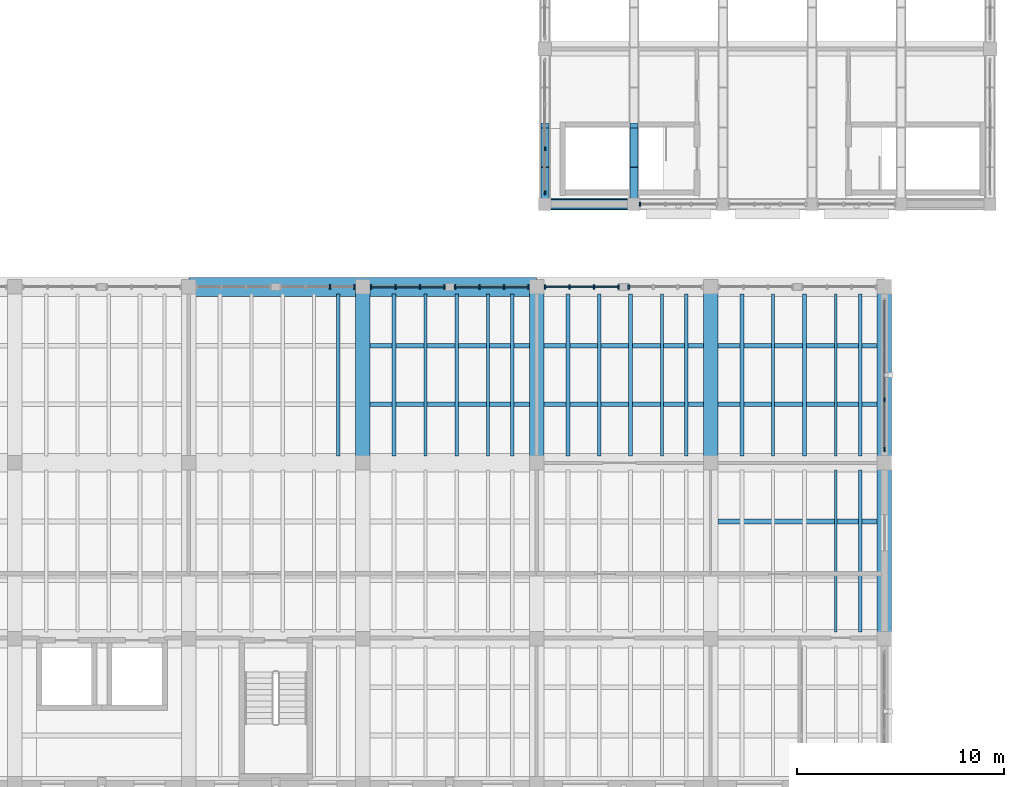
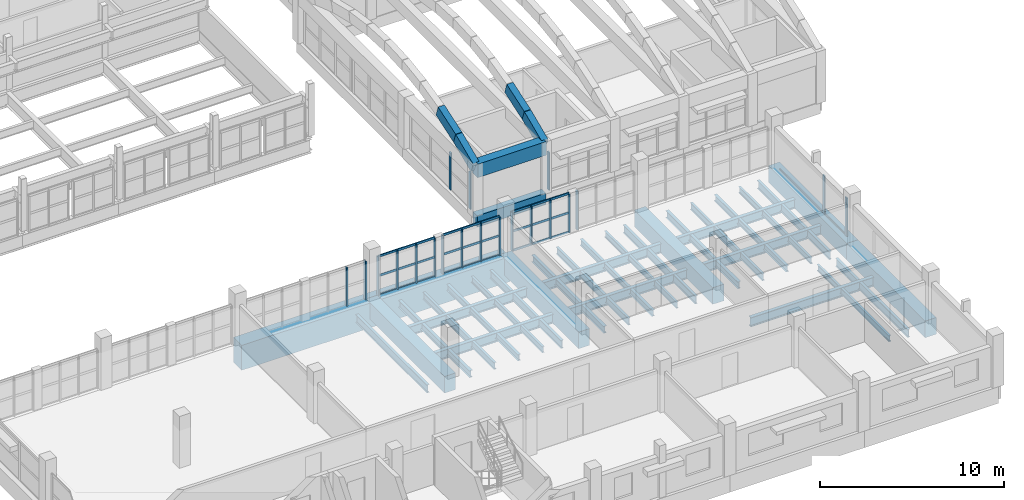
# One storey, part 40 of 77: 34 members, 33 beams, 8 elements without a shape of their own.
"""IFC4 building model written with IfcOpenShell, lengths in metres."""

from ifc_helpers import new_model, si_unit, direction, frame, origin, origin_2d, place, context, subcontext, project, spatial, rectangle, i_section, extrude, material, layer, layer_set, material_profile, profile_set, type_object, element, aggregate, save


model = new_model("IFC4")

# Units and contexts
model_context = context("Model", 3, precision=1e-05, world=origin(), true_north=direction((0.0, 1.0)))
body_context = subcontext(model_context, "Body", "Model", "MODEL_VIEW")
ifc_project = project(units=[si_unit("LENGTHUNIT", "METRE"), si_unit("AREAUNIT", "SQUARE_METRE"), si_unit("VOLUMEUNIT", "CUBIC_METRE"), si_unit("PLANEANGLEUNIT", "RADIAN"), si_unit("MASSUNIT", "GRAM", prefix="KILO")], contexts=[model_context])

# Site, building, storey
site_placement = place(None, origin())
site = spatial("IfcSite", under=ifc_project, at=site_placement, CompositionType="ELEMENT")
building_placement = place(site_placement, origin())
building = spatial("IfcBuilding", under=site, at=building_placement, Name="Trellovar Central Fire Station", CompositionType="ELEMENT")
storey_placement = place(building_placement, frame((0.0, 0.0, 5.85009765625)))
storey = spatial("IfcBuildingStorey", under=building, at=storey_placement, Name="L02", CompositionType="ELEMENT", Elevation=5.85009765625)

# Beams
ifc_material_1 = material(Name="Concrete C40/50", Category="concrete")
ifc_material_profile_1 = material_profile(ifc_material_1, rectangle(XDim=0.449951171875, YDim=0.75, at=origin_2d()), Name="RC450X750")
ifc_profile_set_1 = profile_set([ifc_material_profile_1], Name="Concrete C40/50")
beam_type_1 = type_object("IfcBeamType", Name="BM-G2", PredefinedType="BEAM", material=ifc_profile_set_1)
beam_1_placement = place(storey_placement, frame((139.5, 37.0, -0.375), z_axis=(1.0, 0.0, 0.0), x_axis=(0.0, 1.0, 0.0)))
element("IfcBeam", 1, at=beam_1_placement, inside=storey, type_object=beam_type_1, Name="L02 beam G-2", PredefinedType="BEAM", context=body_context, shape_type="SweptSolid", body=[
    extrude(rectangle(XDim=0.449951171875, YDim=0.75, at=origin_2d()), origin(), (0.0, 0.0, 1.0), 4.300048828125),
])
ifc_material_2 = material(Name="Concrete C40/50", Category="concrete")
ifc_material_profile_2 = material_profile(ifc_material_2, rectangle(XDim=0.699951171875, YDim=1.10009765625, at=origin_2d()), Name="RC700X1100")
ifc_profile_set_2 = profile_set([ifc_material_profile_2], Name="Concrete C40/50")
beam_type_2 = type_object("IfcBeamType", Name="BM-RG1", PredefinedType="BEAM", material=ifc_profile_set_2)
for number, where, z_axis, x_axis, name in (
    (2, (130.699951171875, 24.5, -0.550048828125), (0.0, 1.0, 0.0), (-1.0, 0.0, 0.0), "L02 transverse transfer tie girder"),
    (3, (139.10009765625, 24.5, -0.550048828125), (0.0, 1.0, 0.0), (-1.0, 0.0, 0.0), "L02 transverse transfer tie girder"),
    (4, (147.5, 24.5, -0.550048828125), (0.0, 1.0, 0.0), (-1.0, 0.0, 0.0), "L02 transverse transfer tie girder"),
    (5, (155.89990234375, 16.0, -0.550048828125), (0.0, 1.0, 0.0), (-1.0, 0.0, 0.0), "L02 transverse transfer tie girder"),
    (6, (155.89990234375, 24.5, -0.550048828125), (0.0, 1.0, 0.0), (-1.0, 0.0, 0.0), "L02 transverse transfer tie girder"),
):
    element("IfcBeam", number, at=place(storey_placement, frame(where, z_axis=z_axis, x_axis=x_axis)), inside=storey, type_object=beam_type_2, Name=name, PredefinedType="BEAM", context=body_context, shape_type="SweptSolid", body=[
        extrude(rectangle(XDim=0.699951171875, YDim=1.10009765625, at=origin_2d()), origin(), (0.0, 0.0, 1.0), 8.5),
    ])
ifc_material_3 = material(Name="Concrete C40/50", Category="concrete")
ifc_material_profile_3 = material_profile(ifc_material_3, rectangle(XDim=0.550048828125, YDim=0.89990234375, at=origin_2d()), Name="RC550X900")
ifc_profile_set_3 = profile_set([ifc_material_profile_3], Name="Concrete C40/50")
beam_type_3 = type_object("IfcBeamType", Name="BM-RG3", PredefinedType="BEAM", material=ifc_profile_set_3)
beam_2_placement = place(storey_placement, frame((139.5, 37.0, 3.0), z_axis=(1.0, 0.0, 0.0), x_axis=(0.0, 1.0, 0.0)))
element("IfcBeam", 7, at=beam_2_placement, inside=storey, type_object=beam_type_3, Name="L02 beam RG-3", PredefinedType="BEAM", context=body_context, shape_type="SweptSolid", body=[
    extrude(rectangle(XDim=0.550048828125, YDim=0.89990234375, at=origin_2d()), origin(), (0.0, 0.0, 1.0), 4.300048828125),
])
ifc_material_4 = material(Name="Steel ASTM A992 Grade 50", Category="steel")
ifc_material_profile_4 = material_profile(ifc_material_4, i_section(OverallWidth=0.15283203125, OverallDepth=0.45458984375, WebThickness=0.008056640625, FlangeThickness=0.01318359375, FilletRadius=0.0126953125, at=origin_2d()), Name="W18X40")
ifc_profile_set_4 = profile_set([ifc_material_profile_4], Name="Steel ASTM A992 Grade 50")
beam_type_4 = type_object("IfcBeamType", Name="BM-SW10", PredefinedType="JOIST", material=ifc_profile_set_4)
for number, where, z_axis, x_axis, name in (
    (8, (133.72412109375, 24.840087890625, -0.677490234375), (0.0, 1.0, 0.0), (-1.0, 0.0, 0.0), "L02 secondary steel deck joist"),
    (9, (142.1240234375, 24.840087890625, -0.677490234375), (0.0, 1.0, 0.0), (-1.0, 0.0, 0.0), "L02 secondary steel deck joist"),
    (10, (150.52392578125, 24.840087890625, -0.677490234375), (0.0, 1.0, 0.0), (-1.0, 0.0, 0.0), "L02 secondary steel deck joist"),
):
    element("IfcBeam", number, at=place(storey_placement, frame(where, z_axis=z_axis, x_axis=x_axis)), inside=storey, type_object=beam_type_4, Name=name, PredefinedType="JOIST", context=body_context, shape_type="SweptSolid", body=[
        extrude(i_section(OverallWidth=0.15283203125, OverallDepth=0.45458984375, WebThickness=0.008056640625, FlangeThickness=0.01318359375, FilletRadius=0.0126953125, at=origin_2d()), origin(), (0.0, 0.0, 1.0), 7.81982421875),
    ])
ifc_material_5 = material(Name="Steel ASTM A992 Grade 50", Category="steel")
ifc_material_profile_5 = material_profile(ifc_material_5, i_section(OverallWidth=0.177490234375, OverallDepth=0.40380859375, WebThickness=0.007568359375, FlangeThickness=0.010986328125, FilletRadius=0.011474609375, at=origin_2d()), Name="W16X36")
ifc_profile_set_5 = profile_set([ifc_material_profile_5], Name="Steel ASTM A992 Grade 50")
beam_type_5 = type_object("IfcBeamType", Name="BM-SW11", PredefinedType="JOIST", material=ifc_profile_set_5)
for number, where, z_axis, x_axis, name in (
    (11, (135.236083984375, 24.840087890625, -0.652099609375), (0.0, 1.0, 0.0), (-1.0, 0.0, 0.0), "L02 secondary steel deck joist"),
    (12, (143.635986328125, 24.840087890625, -0.652099609375), (0.0, 1.0, 0.0), (-1.0, 0.0, 0.0), "L02 secondary steel deck joist"),
    (13, (152.035888671875, 24.840087890625, -0.652099609375), (0.0, 1.0, 0.0), (-1.0, 0.0, 0.0), "L02 secondary steel deck joist"),
):
    element("IfcBeam", number, at=place(storey_placement, frame(where, z_axis=z_axis, x_axis=x_axis)), inside=storey, type_object=beam_type_5, Name=name, PredefinedType="JOIST", context=body_context, shape_type="SweptSolid", body=[
        extrude(i_section(OverallWidth=0.177490234375, OverallDepth=0.40380859375, WebThickness=0.007568359375, FlangeThickness=0.010986328125, FilletRadius=0.011474609375, at=origin_2d()), origin(), (0.0, 0.0, 1.0), 7.81982421875),
    ])
ifc_material_6 = material(Name="Steel ASTM A992 Grade 50", Category="steel")
ifc_material_profile_6 = material_profile(ifc_material_6, i_section(OverallWidth=0.140380859375, OverallDepth=0.4033203125, WebThickness=0.007080078125, FlangeThickness=0.01123046875, FilletRadius=0.011474609375, at=origin_2d()), Name="W16X31")
ifc_profile_set_6 = profile_set([ifc_material_profile_6], Name="Steel ASTM A992 Grade 50")
beam_type_6 = type_object("IfcBeamType", Name="BM-SW12", PredefinedType="JOIST", material=ifc_profile_set_6)
for number, where, z_axis, x_axis, name in (
    (14, (136.748046875, 24.840087890625, -0.65185546875), (0.0, 1.0, 0.0), (-1.0, 0.0, 0.0), "L02 secondary steel deck joist"),
    (15, (145.14794921875, 24.840087890625, -0.65185546875), (0.0, 1.0, 0.0), (-1.0, 0.0, 0.0), "L02 secondary steel deck joist"),
    (16, (153.548095703125, 16.340087890625, -0.65185546875), (0.0, 1.0, 0.0), (-1.0, 0.0, 0.0), "L02 secondary steel deck joist"),
    (17, (153.548095703125, 24.840087890625, -0.65185546875), (0.0, 1.0, 0.0), (-1.0, 0.0, 0.0), "L02 secondary steel deck joist"),
):
    element("IfcBeam", number, at=place(storey_placement, frame(where, z_axis=z_axis, x_axis=x_axis)), inside=storey, type_object=beam_type_6, Name=name, PredefinedType="JOIST", context=body_context, shape_type="SweptSolid", body=[
        extrude(i_section(OverallWidth=0.140380859375, OverallDepth=0.4033203125, WebThickness=0.007080078125, FlangeThickness=0.01123046875, FilletRadius=0.011474609375, at=origin_2d()), origin(), (0.0, 0.0, 1.0), 7.81982421875),
    ])
ifc_material_7 = material(Name="Steel ASTM A992 Grade 50", Category="steel")
ifc_material_profile_7 = material_profile(ifc_material_7, i_section(OverallWidth=0.227783203125, OverallDepth=0.60205078125, WebThickness=0.010498046875, FlangeThickness=0.014892578125, FilletRadius=0.01513671875, at=origin_2d()), Name="W24X68")
ifc_profile_set_7 = profile_set([ifc_material_profile_7], Name="Steel ASTM A992 Grade 50")
beam_type_7 = type_object("IfcBeamType", Name="BM-SW6", PredefinedType="BEAM", material=ifc_profile_set_7)
for number, where, z_axis, x_axis, name in (
    (18, (131.050048828125, 27.333251953125, -0.7509765625), (1.0, 0.0, 0.0), (0.0, 1.0, 0.0), "L02 transfer deck secondary steel beam"),
    (19, (131.050048828125, 30.166748046875, -0.7509765625), (1.0, 0.0, 0.0), (0.0, 1.0, 0.0), "L02 transfer deck secondary steel beam"),
    (20, (139.449951171875, 27.333251953125, -0.7509765625), (1.0, 0.0, 0.0), (0.0, 1.0, 0.0), "L02 transfer deck secondary steel beam"),
    (21, (139.449951171875, 30.166748046875, -0.7509765625), (1.0, 0.0, 0.0), (0.0, 1.0, 0.0), "L02 transfer deck secondary steel beam"),
    (22, (147.85009765625, 21.666748046875, -0.7509765625), (1.0, 0.0, 0.0), (0.0, 1.0, 0.0), "L02 transfer deck secondary steel beam"),
    (23, (147.85009765625, 27.333251953125, -0.7509765625), (1.0, 0.0, 0.0), (0.0, 1.0, 0.0), "L02 transfer deck secondary steel beam"),
    (24, (147.85009765625, 30.166748046875, -0.7509765625), (1.0, 0.0, 0.0), (0.0, 1.0, 0.0), "L02 transfer deck secondary steel beam"),
):
    element("IfcBeam", number, at=place(storey_placement, frame(where, z_axis=z_axis, x_axis=x_axis)), inside=storey, type_object=beam_type_7, Name=name, PredefinedType="BEAM", context=body_context, shape_type="SweptSolid", body=[
        extrude(i_section(OverallWidth=0.227783203125, OverallDepth=0.60205078125, WebThickness=0.010498046875, FlangeThickness=0.014892578125, FilletRadius=0.01513671875, at=origin_2d()), origin(), (0.0, 0.0, 1.0), 7.699951171875),
    ])
ifc_material_8 = material(Name="Steel ASTM A992 Grade 50", Category="steel")
ifc_material_profile_8 = material_profile(ifc_material_8, i_section(OverallWidth=0.166015625, OverallDepth=0.529052734375, WebThickness=0.009765625, FlangeThickness=0.013671875, FilletRadius=0.013916015625, at=origin_2d()), Name="W21X50")
ifc_profile_set_8 = profile_set([ifc_material_profile_8], Name="Steel ASTM A992 Grade 50")
beam_type_8 = type_object("IfcBeamType", Name="BM-SW8", PredefinedType="JOIST", material=ifc_profile_set_8)
for number, where, z_axis, x_axis, name in (
    (25, (129.52392578125, 24.840087890625, -0.714599609375), (0.0, 1.0, 0.0), (-1.0, 0.0, 0.0), "L02 secondary steel deck joist"),
    (26, (137.924072265625, 24.840087890625, -0.714599609375), (0.0, 1.0, 0.0), (-1.0, 0.0, 0.0), "L02 secondary steel deck joist"),
    (27, (146.323974609375, 24.840087890625, -0.714599609375), (0.0, 1.0, 0.0), (-1.0, 0.0, 0.0), "L02 secondary steel deck joist"),
    (28, (154.72412109375, 16.340087890625, -0.714599609375), (0.0, 1.0, 0.0), (-1.0, 0.0, 0.0), "L02 secondary steel deck joist"),
    (29, (154.72412109375, 24.840087890625, -0.714599609375), (0.0, 1.0, 0.0), (-1.0, 0.0, 0.0), "L02 secondary steel deck joist"),
):
    element("IfcBeam", number, at=place(storey_placement, frame(where, z_axis=z_axis, x_axis=x_axis)), inside=storey, type_object=beam_type_8, Name=name, PredefinedType="JOIST", context=body_context, shape_type="SweptSolid", body=[
        extrude(i_section(OverallWidth=0.166015625, OverallDepth=0.529052734375, WebThickness=0.009765625, FlangeThickness=0.013671875, FilletRadius=0.013916015625, at=origin_2d()), origin(), (0.0, 0.0, 1.0), 7.81982421875),
    ])
ifc_material_9 = material(Name="Steel ASTM A992 Grade 50", Category="steel")
ifc_material_profile_9 = material_profile(ifc_material_9, i_section(OverallWidth=0.1904296875, OverallDepth=0.457275390625, WebThickness=0.009033203125, FlangeThickness=0.014404296875, FilletRadius=0.0126953125, at=origin_2d()), Name="W18X50")
ifc_profile_set_9 = profile_set([ifc_material_profile_9], Name="Steel ASTM A992 Grade 50")
beam_type_9 = type_object("IfcBeamType", Name="BM-SW9", PredefinedType="JOIST", material=ifc_profile_set_9)
for number, where, z_axis, x_axis, name in (
    (30, (132.2119140625, 24.840087890625, -0.6787109375), (0.0, 1.0, 0.0), (-1.0, 0.0, 0.0), "L02 secondary steel deck joist"),
    (31, (140.612060546875, 24.840087890625, -0.6787109375), (0.0, 1.0, 0.0), (-1.0, 0.0, 0.0), "L02 secondary steel deck joist"),
    (32, (149.011962890625, 24.840087890625, -0.6787109375), (0.0, 1.0, 0.0), (-1.0, 0.0, 0.0), "L02 secondary steel deck joist"),
):
    element("IfcBeam", number, at=place(storey_placement, frame(where, z_axis=z_axis, x_axis=x_axis)), inside=storey, type_object=beam_type_9, Name=name, PredefinedType="JOIST", context=body_context, shape_type="SweptSolid", body=[
        extrude(i_section(OverallWidth=0.1904296875, OverallDepth=0.457275390625, WebThickness=0.009033203125, FlangeThickness=0.014404296875, FilletRadius=0.0126953125, at=origin_2d()), origin(), (0.0, 0.0, 1.0), 7.81982421875),
    ])
ifc_material_10 = material(Name="Concrete C45/55", Category="concrete")
ifc_material_profile_10 = material_profile(ifc_material_10, rectangle(XDim=0.89990234375, YDim=1.64990234375, at=origin_2d()), Name="RC900X1650")
ifc_profile_set_10 = profile_set([ifc_material_profile_10], Name="Concrete C45/55")
beam_type_10 = type_object("IfcBeamType", Name="BM-TG1", PredefinedType="BEAM", material=ifc_profile_set_10)
beam_3_placement = place(storey_placement, frame((122.300048828125, 33.0, -0.8251953125), z_axis=(1.0, 0.0, 0.0), x_axis=(0.0, 1.0, 0.0)))
element("IfcBeam", 33, at=beam_3_placement, inside=storey, type_object=beam_type_10, Name="L02 RC transfer girder TG-1 (122.3..139.1, Y=33.0)", PredefinedType="BEAM", context=body_context, shape_type="SweptSolid", body=[
    extrude(rectangle(XDim=0.89990234375, YDim=1.64990234375, at=origin_2d()), origin(), (0.0, 0.0, 1.0), 16.800048828125),
])

# Curtain wall, members
ifc_material_11 = material(Name="Thermally broken bronze anodized aluminum", Category="aluminium")
ifc_layer_1 = layer(ifc_material_11, 0.159912109375)
ifc_layer_set_1 = layer_set([ifc_layer_1], Name="Thermally broken bronze anodized aluminum")
curtain_wall_type_1 = type_object("IfcCurtainWallType", Name="CW-09", PredefinedType="NOTDEFINED", material=ifc_layer_set_1)
curtain_wall_1_placement = place(storey_placement, origin())
curtain_wall_1 = element("IfcCurtainWall", 34, at=curtain_wall_1_placement, inside=storey, type_object=curtain_wall_type_1, Name="L02 curtain wall CW-9", PredefinedType="NOTDEFINED")
ifc_material_12 = material(Name="Thermally broken bronze anodized aluminum", Category="aluminium")
ifc_material_profile_11 = material_profile(ifc_material_12, rectangle(XDim=0.074951171875, YDim=0.199951171875, at=origin_2d()), Name="ALU75X200")
ifc_profile_set_11 = profile_set([ifc_material_profile_11], Name="Thermally broken bronze anodized aluminum")
member_type_1 = type_object("IfcMemberType", Name="CWM-1", PredefinedType="MULLION", material=ifc_profile_set_11)
member_1_placement = place(storey_placement, frame((130.300048828125, 33.0, 0.0), z_axis=(0.0, 0.0, 1.0), x_axis=(1.0, 0.0, 0.0)))
member_1 = element("IfcMember", 35, at=member_1_placement, type_object=member_type_1, Name="CW3-L02-0063 mullion 1", PredefinedType="MULLION", context=body_context, shape_type="SweptSolid", body=[
    extrude(rectangle(XDim=0.074951171875, YDim=0.199951171875, at=origin_2d()), origin(), (0.0, 0.0, 1.0), 2.5498046875),
])
member_2_placement = place(storey_placement, frame((129.11669921875, 33.0, 0.0), z_axis=(0.0, 0.0, 1.0), x_axis=(1.0, 0.0, 0.0)))
member_2 = element("IfcMember", 36, at=member_2_placement, type_object=member_type_1, Name="CW3-L02-0063 mullion 2", PredefinedType="MULLION", context=body_context, shape_type="SweptSolid", body=[
    extrude(rectangle(XDim=0.074951171875, YDim=0.199951171875, at=origin_2d()), origin(), (0.0, 0.0, 1.0), 2.5498046875),
])
aggregate(curtain_wall_1, [member_1, member_2])

curtain_wall_2_placement = place(storey_placement, origin())
curtain_wall_2 = element("IfcCurtainWall", 37, at=curtain_wall_2_placement, inside=storey, type_object=curtain_wall_type_1, Name="L02 curtain wall CW-9", PredefinedType="NOTDEFINED")
member_3_placement = place(storey_placement, frame((138.699951171875, 33.0, 0.0), z_axis=(0.0, 0.0, 1.0), x_axis=(1.0, 0.0, 0.0)))
member_3 = element("IfcMember", 38, at=member_3_placement, type_object=member_type_1, Name="CW3-L02-0065 mullion 1", PredefinedType="MULLION", context=body_context, shape_type="SweptSolid", body=[
    extrude(rectangle(XDim=0.074951171875, YDim=0.199951171875, at=origin_2d()), origin(), (0.0, 0.0, 1.0), 2.5498046875),
])
member_4_placement = place(storey_placement, frame((137.5166015625, 33.0, 0.0), z_axis=(0.0, 0.0, 1.0), x_axis=(1.0, 0.0, 0.0)))
member_4 = element("IfcMember", 39, at=member_4_placement, type_object=member_type_1, Name="CW3-L02-0065 mullion 2", PredefinedType="MULLION", context=body_context, shape_type="SweptSolid", body=[
    extrude(rectangle(XDim=0.074951171875, YDim=0.199951171875, at=origin_2d()), origin(), (0.0, 0.0, 1.0), 2.5498046875),
])
member_5_placement = place(storey_placement, frame((136.333251953125, 33.0, 0.0), z_axis=(0.0, 0.0, 1.0), x_axis=(1.0, 0.0, 0.0)))
member_5 = element("IfcMember", 40, at=member_5_placement, type_object=member_type_1, Name="CW3-L02-0065 mullion 3", PredefinedType="MULLION", context=body_context, shape_type="SweptSolid", body=[
    extrude(rectangle(XDim=0.074951171875, YDim=0.199951171875, at=origin_2d()), origin(), (0.0, 0.0, 1.0), 2.5498046875),
])
member_6_placement = place(storey_placement, frame((135.14990234375, 33.0, 0.0), z_axis=(0.0, 0.0, 1.0), x_axis=(1.0, 0.0, 0.0)))
member_6 = element("IfcMember", 41, at=member_6_placement, type_object=member_type_1, Name="CW3-L02-0065 mullion 4", PredefinedType="MULLION", context=body_context, shape_type="SweptSolid", body=[
    extrude(rectangle(XDim=0.074951171875, YDim=0.199951171875, at=origin_2d()), origin(), (0.0, 0.0, 1.0), 2.5498046875),
])

ifc_material_13 = material(Name="Thermally broken bronze anodized aluminum", Category="aluminium")
ifc_layer_2 = layer(ifc_material_13, 0.159912109375)
ifc_layer_set_2 = layer_set([ifc_layer_2], Name="Thermally broken bronze anodized aluminum")
curtain_wall_type_2 = type_object("IfcCurtainWallType", Name="CW-10", PredefinedType="NOTDEFINED", material=ifc_layer_set_2)
curtain_wall_3_placement = place(storey_placement, origin())
curtain_wall_3 = element("IfcCurtainWall", 42, at=curtain_wall_3_placement, inside=storey, type_object=curtain_wall_type_2, Name="L02 curtain wall CW-10", PredefinedType="NOTDEFINED")
member_7_placement = place(storey_placement, frame((134.64990234375, 33.0, 0.0), z_axis=(0.0, 0.0, 1.0), x_axis=(1.0, 0.0, 0.0)))
member_7 = element("IfcMember", 43, at=member_7_placement, type_object=member_type_1, Name="CW3-L02-0066 mullion 1", PredefinedType="MULLION", context=body_context, shape_type="SweptSolid", body=[
    extrude(rectangle(XDim=0.074951171875, YDim=0.199951171875, at=origin_2d()), origin(), (0.0, 0.0, 1.0), 2.5498046875),
])
member_8_placement = place(storey_placement, frame((133.466796875, 33.0, 0.0), z_axis=(0.0, 0.0, 1.0), x_axis=(1.0, 0.0, 0.0)))
member_8 = element("IfcMember", 44, at=member_8_placement, type_object=member_type_1, Name="CW3-L02-0066 mullion 2", PredefinedType="MULLION", context=body_context, shape_type="SweptSolid", body=[
    extrude(rectangle(XDim=0.074951171875, YDim=0.199951171875, at=origin_2d()), origin(), (0.0, 0.0, 1.0), 2.5498046875),
])
member_9_placement = place(storey_placement, frame((132.283203125, 33.0, 0.0), z_axis=(0.0, 0.0, 1.0), x_axis=(1.0, 0.0, 0.0)))
member_9 = element("IfcMember", 45, at=member_9_placement, type_object=member_type_1, Name="CW3-L02-0066 mullion 3", PredefinedType="MULLION", context=body_context, shape_type="SweptSolid", body=[
    extrude(rectangle(XDim=0.074951171875, YDim=0.199951171875, at=origin_2d()), origin(), (0.0, 0.0, 1.0), 2.5498046875),
])
member_10_placement = place(storey_placement, frame((131.10009765625, 33.0, 0.0), z_axis=(0.0, 0.0, 1.0), x_axis=(1.0, 0.0, 0.0)))
member_10 = element("IfcMember", 46, at=member_10_placement, type_object=member_type_1, Name="CW3-L02-0066 mullion 4", PredefinedType="MULLION", context=body_context, shape_type="SweptSolid", body=[
    extrude(rectangle(XDim=0.074951171875, YDim=0.199951171875, at=origin_2d()), origin(), (0.0, 0.0, 1.0), 2.5498046875),
])

# Curtain wall, member
curtain_wall_4_placement = place(storey_placement, origin())
curtain_wall_4 = element("IfcCurtainWall", 47, at=curtain_wall_4_placement, inside=storey, type_object=curtain_wall_type_1, Name="L02 curtain wall CW-9", PredefinedType="NOTDEFINED")
member_11_placement = place(storey_placement, frame((143.550048828125, 33.0, 0.0), z_axis=(0.0, 0.0, 1.0), x_axis=(1.0, 0.0, 0.0)))
member_11 = element("IfcMember", 48, at=member_11_placement, type_object=member_type_1, Name="CW3-L02-0067 mullion 4", PredefinedType="MULLION", context=body_context, shape_type="SweptSolid", body=[
    extrude(rectangle(XDim=0.074951171875, YDim=0.199951171875, at=origin_2d()), origin(), (0.0, 0.0, 1.0), 2.5498046875),
])
aggregate(curtain_wall_4, [member_11])

# Curtain wall, members
curtain_wall_5_placement = place(storey_placement, origin())
curtain_wall_5 = element("IfcCurtainWall", 49, at=curtain_wall_5_placement, inside=storey, type_object=curtain_wall_type_2, Name="L02 curtain wall CW-10", PredefinedType="NOTDEFINED")
member_12_placement = place(storey_placement, frame((143.050048828125, 33.0, 0.0), z_axis=(0.0, 0.0, 1.0), x_axis=(1.0, 0.0, 0.0)))
member_12 = element("IfcMember", 50, at=member_12_placement, type_object=member_type_1, Name="CW3-L02-0068 mullion 1", PredefinedType="MULLION", context=body_context, shape_type="SweptSolid", body=[
    extrude(rectangle(XDim=0.074951171875, YDim=0.199951171875, at=origin_2d()), origin(), (0.0, 0.0, 1.0), 2.5498046875),
])
member_13_placement = place(storey_placement, frame((141.86669921875, 33.0, 0.0), z_axis=(0.0, 0.0, 1.0), x_axis=(1.0, 0.0, 0.0)))
member_13 = element("IfcMember", 51, at=member_13_placement, type_object=member_type_1, Name="CW3-L02-0068 mullion 2", PredefinedType="MULLION", context=body_context, shape_type="SweptSolid", body=[
    extrude(rectangle(XDim=0.074951171875, YDim=0.199951171875, at=origin_2d()), origin(), (0.0, 0.0, 1.0), 2.5498046875),
])
member_14_placement = place(storey_placement, frame((140.683349609375, 33.0, 0.0), z_axis=(0.0, 0.0, 1.0), x_axis=(1.0, 0.0, 0.0)))
member_14 = element("IfcMember", 52, at=member_14_placement, type_object=member_type_1, Name="CW3-L02-0068 mullion 3", PredefinedType="MULLION", context=body_context, shape_type="SweptSolid", body=[
    extrude(rectangle(XDim=0.074951171875, YDim=0.199951171875, at=origin_2d()), origin(), (0.0, 0.0, 1.0), 2.5498046875),
])
member_15_placement = place(storey_placement, frame((139.5, 33.0, 0.0), z_axis=(0.0, 0.0, 1.0), x_axis=(1.0, 0.0, 0.0)))
member_15 = element("IfcMember", 53, at=member_15_placement, type_object=member_type_1, Name="CW3-L02-0068 mullion 4", PredefinedType="MULLION", context=body_context, shape_type="SweptSolid", body=[
    extrude(rectangle(XDim=0.074951171875, YDim=0.199951171875, at=origin_2d()), origin(), (0.0, 0.0, 1.0), 2.5498046875),
])

ifc_material_14 = material(Name="Thermally broken bronze anodized aluminum", Category="aluminium")
ifc_layer_3 = layer(ifc_material_14, 0.159912109375)
ifc_layer_set_3 = layer_set([ifc_layer_3], Name="Thermally broken bronze anodized aluminum")
curtain_wall_type_3 = type_object("IfcCurtainWallType", Name="CW-01", PredefinedType="NOTDEFINED", material=ifc_layer_set_3)
curtain_wall_6_placement = place(storey_placement, origin())
curtain_wall_6 = element("IfcCurtainWall", 54, at=curtain_wall_6_placement, inside=storey, type_object=curtain_wall_type_3, Name="L02 curtain wall CW-1", PredefinedType="NOTDEFINED")
member_16_placement = place(storey_placement, frame((155.89990234375, 25.14990234375, 0.0), z_axis=(0.0, 0.0, 1.0), x_axis=(1.0, 0.0, 0.0)))
member_16 = element("IfcMember", 55, at=member_16_placement, type_object=member_type_1, Name="CW3-L02-0075 mullion 1", PredefinedType="MULLION", context=body_context, shape_type="SweptSolid", body=[
    extrude(rectangle(XDim=0.074951171875, YDim=0.199951171875, at=origin_2d()), origin(), (0.0, 0.0, 1.0), 2.5498046875),
])
member_17_placement = place(storey_placement, frame((155.89990234375, 27.550048828125, 0.0), z_axis=(0.0, 0.0, 1.0), x_axis=(1.0, 0.0, 0.0)))
member_17 = element("IfcMember", 56, at=member_17_placement, type_object=member_type_1, Name="CW3-L02-0075 mullion 2", PredefinedType="MULLION", context=body_context, shape_type="SweptSolid", body=[
    extrude(rectangle(XDim=0.074951171875, YDim=0.199951171875, at=origin_2d()), origin(), (0.0, 0.0, 1.0), 2.5498046875),
])

# Curtain wall, member
ifc_material_15 = material(Name="Thermally broken bronze anodized aluminum", Category="aluminium")
ifc_layer_4 = layer(ifc_material_15, 0.159912109375)
ifc_layer_set_4 = layer_set([ifc_layer_4], Name="Thermally broken bronze anodized aluminum")
curtain_wall_type_4 = type_object("IfcCurtainWallType", Name="CW-07", PredefinedType="NOTDEFINED", material=ifc_layer_set_4)
curtain_wall_7_placement = place(storey_placement, origin())
curtain_wall_7 = element("IfcCurtainWall", 57, at=curtain_wall_7_placement, inside=storey, type_object=curtain_wall_type_4, Name="L02 curtain wall CW-7", PredefinedType="NOTDEFINED")
member_18_placement = place(storey_placement, frame((144.10009765625, 37.0, 0.0), z_axis=(0.0, 0.0, 1.0), x_axis=(1.0, 0.0, 0.0)))
member_18 = element("IfcMember", 58, at=member_18_placement, type_object=member_type_1, Name="CW3-L02-0144 mullion 1", PredefinedType="MULLION", context=body_context, shape_type="SweptSolid", body=[
    extrude(rectangle(XDim=0.074951171875, YDim=0.199951171875, at=origin_2d()), origin(), (0.0, 0.0, 1.0), 2.5),
])
aggregate(curtain_wall_7, [member_18])

# Curtain wall, members
ifc_material_16 = material(Name="Thermally broken bronze anodized aluminum", Category="aluminium")
ifc_layer_5 = layer(ifc_material_16, 0.159912109375)
ifc_layer_set_5 = layer_set([ifc_layer_5], Name="Thermally broken bronze anodized aluminum")
curtain_wall_type_5 = type_object("IfcCurtainWallType", Name="CW-12", PredefinedType="NOTDEFINED", material=ifc_layer_set_5)
curtain_wall_8_placement = place(storey_placement, origin())
curtain_wall_8 = element("IfcCurtainWall", 59, at=curtain_wall_8_placement, inside=storey, type_object=curtain_wall_type_5, Name="V3 L02 W gallery CW", PredefinedType="NOTDEFINED")
member_19_placement = place(storey_placement, frame((139.5, 37.550048828125, 0.0), z_axis=(0.0, 0.0, 1.0), x_axis=(1.0, 0.0, 0.0)))
member_19 = element("IfcMember", 60, at=member_19_placement, type_object=member_type_1, Name="CW3-L02-0148 mullion 1", PredefinedType="MULLION", context=body_context, shape_type="SweptSolid", body=[
    extrude(rectangle(XDim=0.074951171875, YDim=0.199951171875, at=origin_2d()), origin(), (0.0, 0.0, 1.0), 2.449951171875),
])
member_20_placement = place(storey_placement, frame((139.5, 39.683349609375, 0.0), z_axis=(0.0, 0.0, 1.0), x_axis=(1.0, 0.0, 0.0)))
member_20 = element("IfcMember", 61, at=member_20_placement, type_object=member_type_1, Name="CW3-L02-0148 mullion 2", PredefinedType="MULLION", context=body_context, shape_type="SweptSolid", body=[
    extrude(rectangle(XDim=0.074951171875, YDim=0.199951171875, at=origin_2d()), origin(), (0.0, 0.0, 1.0), 2.449951171875),
])
aggregate(curtain_wall_8, [member_19, member_20])

# Member
ifc_material_17 = material(Name="Thermally broken bronze anodized aluminum", Category="aluminium")
ifc_material_profile_12 = material_profile(ifc_material_17, rectangle(XDim=0.06005859375, YDim=0.139892578125, at=origin_2d()), Name="ALU60X140")
ifc_profile_set_12 = profile_set([ifc_material_profile_12], Name="Thermally broken bronze anodized aluminum")
member_type_2 = type_object("IfcMemberType", Name="CWT-1", PredefinedType="USERDEFINED", material=ifc_profile_set_12)
member_21_placement = place(storey_placement, frame((138.699951171875, 33.0, 0.0), z_axis=(-1.0, 0.0, 0.0), x_axis=(0.0, -1.0, 0.0)))
member_21 = element("IfcMember", 62, at=member_21_placement, type_object=member_type_2, Name="CW3-L02-0065 transom 1", ObjectType="TRANSOM", PredefinedType="USERDEFINED", context=body_context, shape_type="SweptSolid", body=[
    extrude(rectangle(XDim=0.06005859375, YDim=0.139892578125, at=origin_2d()), origin(), (0.0, 0.0, 1.0), 3.550048828125),
])

member_22_placement = place(storey_placement, frame((138.699951171875, 33.0, 1.27490234375), z_axis=(-1.0, 0.0, 0.0), x_axis=(0.0, -1.0, 0.0)))
member_22 = element("IfcMember", 63, at=member_22_placement, type_object=member_type_2, Name="CW3-L02-0065 transom 2", ObjectType="TRANSOM", PredefinedType="USERDEFINED", context=body_context, shape_type="SweptSolid", body=[
    extrude(rectangle(XDim=0.06005859375, YDim=0.139892578125, at=origin_2d()), origin(), (0.0, 0.0, 1.0), 3.550048828125),
])

member_23_placement = place(storey_placement, frame((138.699951171875, 33.0, 2.5498046875), z_axis=(-1.0, 0.0, 0.0), x_axis=(0.0, -1.0, 0.0)))
member_23 = element("IfcMember", 64, at=member_23_placement, type_object=member_type_2, Name="CW3-L02-0065 transom 3", ObjectType="TRANSOM", PredefinedType="USERDEFINED", context=body_context, shape_type="SweptSolid", body=[
    extrude(rectangle(XDim=0.06005859375, YDim=0.139892578125, at=origin_2d()), origin(), (0.0, 0.0, 1.0), 3.550048828125),
])

aggregate(curtain_wall_2, [member_3, member_4, member_5, member_6, member_21, member_22, member_23])

member_24_placement = place(storey_placement, frame((134.64990234375, 33.0, 0.0), z_axis=(-1.0, 0.0, 0.0), x_axis=(0.0, -1.0, 0.0)))
member_24 = element("IfcMember", 65, at=member_24_placement, type_object=member_type_2, Name="CW3-L02-0066 transom 1", ObjectType="TRANSOM", PredefinedType="USERDEFINED", context=body_context, shape_type="SweptSolid", body=[
    extrude(rectangle(XDim=0.06005859375, YDim=0.139892578125, at=origin_2d()), origin(), (0.0, 0.0, 1.0), 3.5498046875),
])

member_25_placement = place(storey_placement, frame((134.64990234375, 33.0, 1.27490234375), z_axis=(-1.0, 0.0, 0.0), x_axis=(0.0, -1.0, 0.0)))
member_25 = element("IfcMember", 66, at=member_25_placement, type_object=member_type_2, Name="CW3-L02-0066 transom 2", ObjectType="TRANSOM", PredefinedType="USERDEFINED", context=body_context, shape_type="SweptSolid", body=[
    extrude(rectangle(XDim=0.06005859375, YDim=0.139892578125, at=origin_2d()), origin(), (0.0, 0.0, 1.0), 3.5498046875),
])

member_26_placement = place(storey_placement, frame((134.64990234375, 33.0, 2.5498046875), z_axis=(-1.0, 0.0, 0.0), x_axis=(0.0, -1.0, 0.0)))
member_26 = element("IfcMember", 67, at=member_26_placement, type_object=member_type_2, Name="CW3-L02-0066 transom 3", ObjectType="TRANSOM", PredefinedType="USERDEFINED", context=body_context, shape_type="SweptSolid", body=[
    extrude(rectangle(XDim=0.06005859375, YDim=0.139892578125, at=origin_2d()), origin(), (0.0, 0.0, 1.0), 3.5498046875),
])

aggregate(curtain_wall_3, [member_7, member_8, member_9, member_10, member_24, member_25, member_26])

member_27_placement = place(storey_placement, frame((143.050048828125, 33.0, 0.0), z_axis=(-1.0, 0.0, 0.0), x_axis=(0.0, -1.0, 0.0)))
member_27 = element("IfcMember", 68, at=member_27_placement, type_object=member_type_2, Name="CW3-L02-0068 transom 1", ObjectType="TRANSOM", PredefinedType="USERDEFINED", context=body_context, shape_type="SweptSolid", body=[
    extrude(rectangle(XDim=0.06005859375, YDim=0.139892578125, at=origin_2d()), origin(), (0.0, 0.0, 1.0), 3.550048828125),
])

member_28_placement = place(storey_placement, frame((143.050048828125, 33.0, 1.27490234375), z_axis=(-1.0, 0.0, 0.0), x_axis=(0.0, -1.0, 0.0)))
member_28 = element("IfcMember", 69, at=member_28_placement, type_object=member_type_2, Name="CW3-L02-0068 transom 2", ObjectType="TRANSOM", PredefinedType="USERDEFINED", context=body_context, shape_type="SweptSolid", body=[
    extrude(rectangle(XDim=0.06005859375, YDim=0.139892578125, at=origin_2d()), origin(), (0.0, 0.0, 1.0), 3.550048828125),
])

member_29_placement = place(storey_placement, frame((143.050048828125, 33.0, 2.5498046875), z_axis=(-1.0, 0.0, 0.0), x_axis=(0.0, -1.0, 0.0)))
member_29 = element("IfcMember", 70, at=member_29_placement, type_object=member_type_2, Name="CW3-L02-0068 transom 3", ObjectType="TRANSOM", PredefinedType="USERDEFINED", context=body_context, shape_type="SweptSolid", body=[
    extrude(rectangle(XDim=0.06005859375, YDim=0.139892578125, at=origin_2d()), origin(), (0.0, 0.0, 1.0), 3.550048828125),
])

aggregate(curtain_wall_5, [member_12, member_13, member_14, member_15, member_27, member_28, member_29])

member_30_placement = place(storey_placement, frame((155.89990234375, 25.14990234375, 0.0), z_axis=(0.0, 1.0, 0.0), x_axis=(-1.0, 0.0, 0.0)))
member_30 = element("IfcMember", 71, at=member_30_placement, type_object=member_type_2, Name="CW3-L02-0075 transom 1", ObjectType="TRANSOM", PredefinedType="USERDEFINED", context=body_context, shape_type="SweptSolid", body=[
    extrude(rectangle(XDim=0.06005859375, YDim=0.139892578125, at=origin_2d()), origin(), (0.0, 0.0, 1.0), 7.2001953125),
])

aggregate(curtain_wall_6, [member_16, member_17, member_30])

# Members
ifc_material_18 = material(Name="Concrete C40/50", Category="concrete")
ifc_material_profile_13 = material_profile(ifc_material_18, rectangle(XDim=0.39990234375, YDim=0.699951171875, at=origin_2d()), Name="RC400X700")
ifc_profile_set_13 = profile_set([ifc_material_profile_13], Name="Concrete C40/50")
member_type_3 = type_object("IfcMemberType", Name="MEM-LR1", PredefinedType="CHORD", material=ifc_profile_set_13)
member_31_placement = place(storey_placement, frame((139.5, 37.0, 3.099853515625), z_axis=(0.0, 0.916702602912, 0.399570191349), x_axis=(-1.0, 0.0, 0.0)))
element("IfcMember", 72, at=member_31_placement, inside=storey, type_object=member_type_3, Name="Lecture vault arch rib LR-01 chord 01", PredefinedType="CHORD", context=body_context, shape_type="SweptSolid", body=[
    extrude(rectangle(XDim=0.39990234375, YDim=0.699951171875, at=origin_2d()), origin(), (0.0, 0.0, 1.0), 2.072509765625),
])
member_32_placement = place(storey_placement, frame((139.5, 38.89990234375, 3.927978515625), z_axis=(0.0, 0.947077166316, 0.321005982878), x_axis=(-1.0, 0.0, 0.0)))
element("IfcMember", 73, at=member_32_placement, inside=storey, type_object=member_type_3, Name="Lecture vault arch rib LR-01 chord 02", PredefinedType="CHORD", context=body_context, shape_type="SweptSolid", body=[
    extrude(rectangle(XDim=0.39990234375, YDim=0.699951171875, at=origin_2d()), origin(), (0.0, 0.0, 1.0), 2.00634765625),
])
member_33_placement = place(storey_placement, frame((143.800048828125, 37.0, 3.099853515625), z_axis=(0.0, 0.916702602912, 0.399570191349), x_axis=(-1.0, 0.0, 0.0)))
element("IfcMember", 74, at=member_33_placement, inside=storey, type_object=member_type_3, Name="Lecture vault arch rib LR-02 chord 01", PredefinedType="CHORD", context=body_context, shape_type="SweptSolid", body=[
    extrude(rectangle(XDim=0.39990234375, YDim=0.699951171875, at=origin_2d()), origin(), (0.0, 0.0, 1.0), 2.072509765625),
])
member_34_placement = place(storey_placement, frame((143.800048828125, 38.89990234375, 3.927978515625), z_axis=(0.0, 0.947077166316, 0.321005982878), x_axis=(-1.0, 0.0, 0.0)))
element("IfcMember", 75, at=member_34_placement, inside=storey, type_object=member_type_3, Name="Lecture vault arch rib LR-02 chord 02", PredefinedType="CHORD", context=body_context, shape_type="SweptSolid", body=[
    extrude(rectangle(XDim=0.39990234375, YDim=0.699951171875, at=origin_2d()), origin(), (0.0, 0.0, 1.0), 2.00634765625),
])

save(model, "model.ifc")
